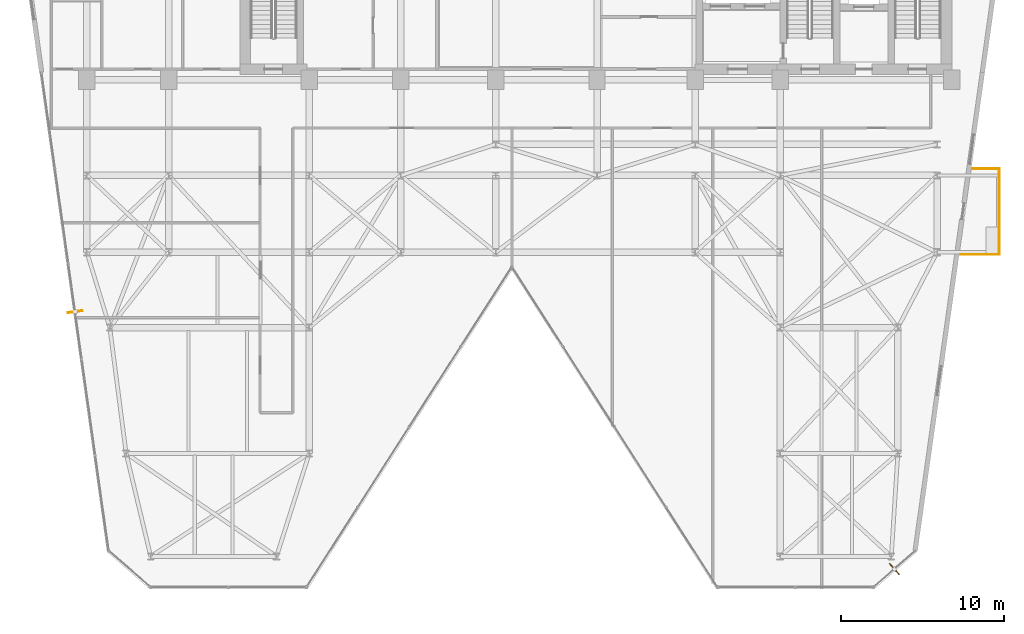
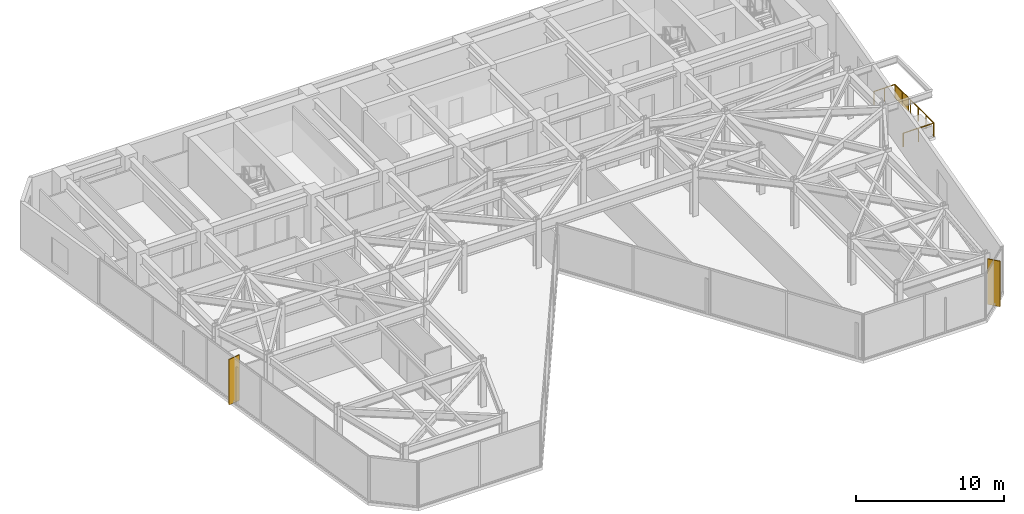
# One storey, part 24 of 26: 3 railings, 3 shading devices.
"""IFC4 building model written with IfcOpenShell, lengths in metres."""

from ifc_helpers import new_model, si_unit, direction, frame, origin, origin_2d, place, context, subcontext, project, spatial, rectangle, circle, extrude, material, layer, layer_set, type_object, element, save


model = new_model("IFC4")

# Units and contexts
model_context = context("Model", 3, precision=1e-05, world=origin(), true_north=direction((0.0, 1.0)))
body_context = subcontext(model_context, "Body", "Model", "MODEL_VIEW")
ifc_project = project(units=[si_unit("LENGTHUNIT", "METRE"), si_unit("AREAUNIT", "SQUARE_METRE"), si_unit("VOLUMEUNIT", "CUBIC_METRE"), si_unit("PLANEANGLEUNIT", "RADIAN"), si_unit("MASSUNIT", "GRAM", prefix="KILO")], contexts=[model_context])

# Site, building, storey
site_placement = place(None, origin())
site = spatial("IfcSite", under=ifc_project, at=site_placement, CompositionType="ELEMENT")
building_placement = place(site_placement, origin())
building = spatial("IfcBuilding", under=site, at=building_placement, Name="Kravanh Interchange Tower", CompositionType="ELEMENT")
storey_placement = place(building_placement, frame((0.0, 0.0, 140.0)))
storey = spatial("IfcBuildingStorey", under=building, at=storey_placement, Name="L33", CompositionType="ELEMENT", Elevation=140.0)

# Shading device
ifc_material_1 = material(Name="Perforated Anodised Bronze Aluminium", Category="aluminium")
ifc_layer_1 = layer(ifc_material_1, 0.0400390625)
ifc_layer_set_1 = layer_set([ifc_layer_1], Name="Perforated Bronze Balcony Privacy Screen 1150mm")
shading_device_type_1 = type_object("IfcShadingDeviceType", Name="Perforated Bronze Balcony Privacy Screen 1150mm", PredefinedType="USERDEFINED", material=ifc_layer_set_1)
shading_device_placement = place(storey_placement, frame((69.409912109375, 30.93994140625, 0.0), z_axis=(0.0, 0.0, 1.0), x_axis=(1.0, 0.0, 0.0)))
element("IfcShadingDevice", 1, at=shading_device_placement, inside=storey, type_object=shading_device_type_1, Name="L33 E Perforated Bronze BALCONY SCREEN", ObjectType="SCREEN", PredefinedType="USERDEFINED", context=body_context, shape_type="SweptSolid", body=[
    extrude(rectangle(XDim=0.0400390625, YDim=1.800048828125, at=origin_2d()), origin(), (0.0, 0.0, 1.0), 1.14990234375),
])

# Railings
ifc_material_2 = material(Name="Stainless Steel 316", Category="steel")
ifc_layer_2 = layer(ifc_material_2, 0.06005859375)
ifc_layer_set_2 = layer_set([ifc_layer_2], Name="Perimeter Balcony and Terrace Guardrail Stainless 316 1120mm")
railing_type = type_object("IfcRailingType", Name="Perimeter Balcony and Terrace Guardrail Stainless 316 1120mm", PredefinedType="GUARDRAIL", material=ifc_layer_set_2)
railing_1_placement = place(storey_placement, frame((69.409912109375, 31.909912109375, 0.0)))
element("IfcRailing", 2, at=railing_1_placement, inside=storey, type_object=railing_type, Name="L33 E Balcony Guardrail 1", PredefinedType="GUARDRAIL", context=body_context, shape_type="SweptSolid", body=[
    extrude(circle(Radius=0.02392578125, at=origin_2d()), frame((0.0, 0.0, 1.09619140625), z_axis=(0.0, -1.0, 0.0), x_axis=(1.0, 0.0, 0.0)), (0.0, 0.0, 1.0), 5.239990234375),
    extrude(circle(Radius=0.02099609375, at=origin_2d()), origin(), (0.0, 0.0, 1.0), 1.072021484375),
    extrude(circle(Radius=0.02099609375, at=origin_2d()), frame((0.0, -1.048095703125, 0.0)), (0.0, 0.0, 1.0), 1.072021484375),
    extrude(circle(Radius=0.02099609375, at=origin_2d()), frame((0.0, -2.095947265625, 0.0)), (0.0, 0.0, 1.0), 1.072021484375),
    extrude(circle(Radius=0.02099609375, at=origin_2d()), frame((0.0, -3.14404296875, 0.0)), (0.0, 0.0, 1.0), 1.072021484375),
    extrude(circle(Radius=0.02099609375, at=origin_2d()), frame((0.0, -4.19189453125, 0.0)), (0.0, 0.0, 1.0), 1.072021484375),
    extrude(circle(Radius=0.02099609375, at=origin_2d()), frame((0.0, -5.239990234375, 0.0)), (0.0, 0.0, 1.0), 1.072021484375),
])
railing_2_placement = place(storey_placement, frame((69.409912109375, 26.669921875, 0.0)))
element("IfcRailing", 3, at=railing_2_placement, inside=storey, type_object=railing_type, Name="L33 E Balcony Guardrail 2", PredefinedType="GUARDRAIL", context=body_context, shape_type="SweptSolid", body=[
    extrude(circle(Radius=0.02392578125, at=origin_2d()), frame((0.0, 0.0, 1.09619140625), z_axis=(-1.0, 0.0, 0.0), x_axis=(0.0, -1.0, 0.0)), (0.0, 0.0, 1.0), 2.382080078125),
    extrude(circle(Radius=0.02099609375, at=origin_2d()), origin(), (0.0, 0.0, 1.0), 1.072021484375),
    extrude(circle(Radius=0.02099609375, at=origin_2d()), frame((-1.19091796875, 0.0, 0.0)), (0.0, 0.0, 1.0), 1.072021484375),
    extrude(circle(Radius=0.02099609375, at=origin_2d()), frame((-2.382080078125, 0.0, 0.0)), (0.0, 0.0, 1.0), 1.072021484375),
])
railing_3_placement = place(storey_placement, frame((67.764404296875, 31.909912109375, 0.0)))
element("IfcRailing", 4, at=railing_3_placement, inside=storey, type_object=railing_type, Name="L33 E Balcony Guardrail 3", PredefinedType="GUARDRAIL", context=body_context, shape_type="SweptSolid", body=[
    extrude(circle(Radius=0.02392578125, at=origin_2d()), frame((0.0, 0.0, 1.09619140625), z_axis=(1.0, 0.0, 0.0), x_axis=(0.0, 1.0, 0.0)), (0.0, 0.0, 1.0), 1.6455078125),
    extrude(circle(Radius=0.02099609375, at=origin_2d()), origin(), (0.0, 0.0, 1.0), 1.072021484375),
    extrude(circle(Radius=0.02099609375, at=origin_2d()), frame((0.82275390625, 0.0, 0.0)), (0.0, 0.0, 1.0), 1.072021484375),
    extrude(circle(Radius=0.02099609375, at=origin_2d()), frame((1.6455078125, 0.0, 0.0)), (0.0, 0.0, 1.0), 1.072021484375),
])

# Shading devices
ifc_material_3 = material(Name="Anodised Champagne Bronze Aluminium", Category="aluminium")
ifc_layer_3 = layer(ifc_material_3, 0.06005859375)
ifc_layer_set_3 = layer_set([ifc_layer_3], Name="Vertical Bronze Solar Fin 900mm")
shading_device_type_2 = type_object("IfcShadingDeviceType", Name="Vertical Bronze Solar Fin 900mm", PredefinedType="USERDEFINED", material=ifc_layer_set_3)
for number, where, z_axis, x_axis, name in (
    (5, (12.881103515625, 23.16943359375, 0.0), (0.0, 0.0, 1.0), (-0.990268017027, -0.139173468924, 0.0), "L33 BRONZE SOLAR FIN 1"),
    (6, (62.986328125, 7.429443359375, 0.0), (0.0, 0.0, 1.0), (0.656056045951, -0.754712173329, 0.0), "L33 BRONZE SOLAR FIN 2"),
):
    element("IfcShadingDevice", number, at=place(storey_placement, frame(where, z_axis=z_axis, x_axis=x_axis)), inside=storey, type_object=shading_device_type_2, Name=name, ObjectType="FIN", PredefinedType="USERDEFINED", context=body_context, shape_type="SweptSolid", body=[
        extrude(rectangle(XDim=0.89990234375, YDim=0.06005859375, at=origin_2d()), origin(), (0.0, 0.0, 1.0), 3.75),
    ])

save(model, "model.ifc")
